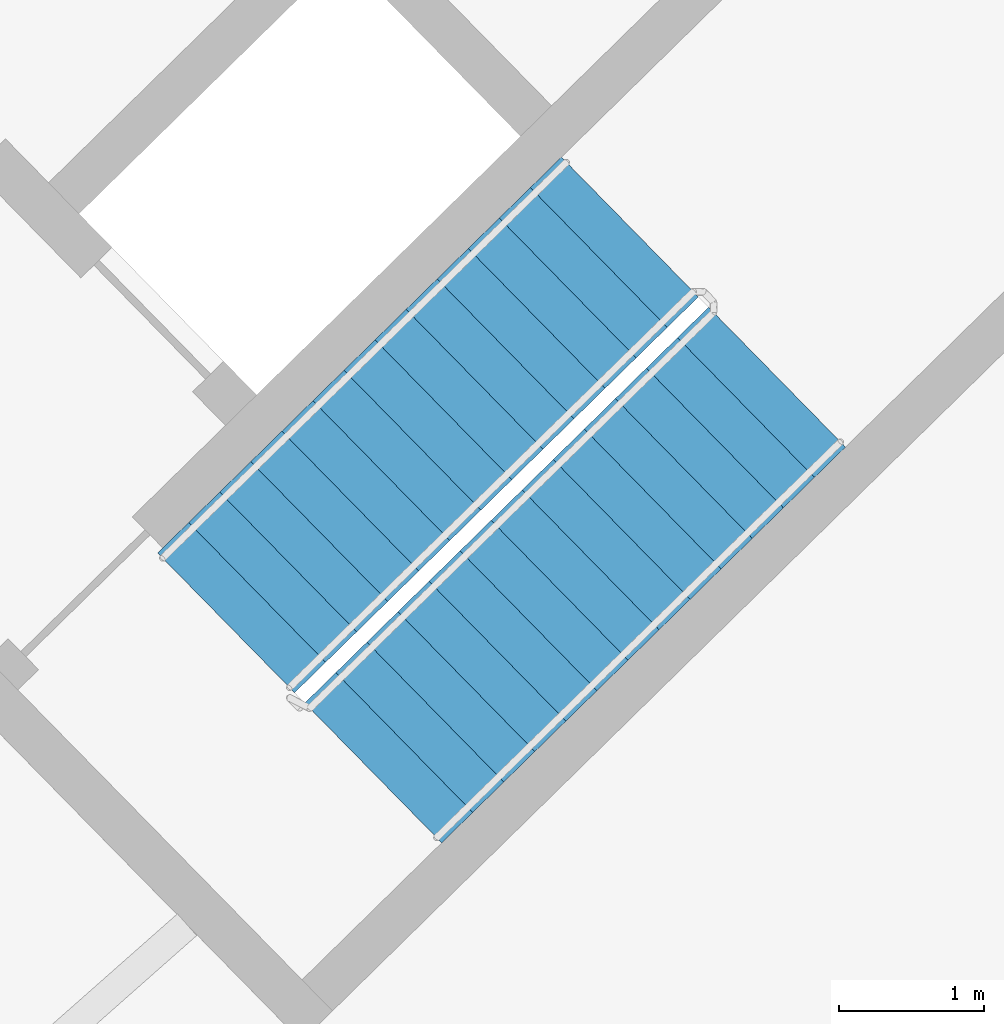
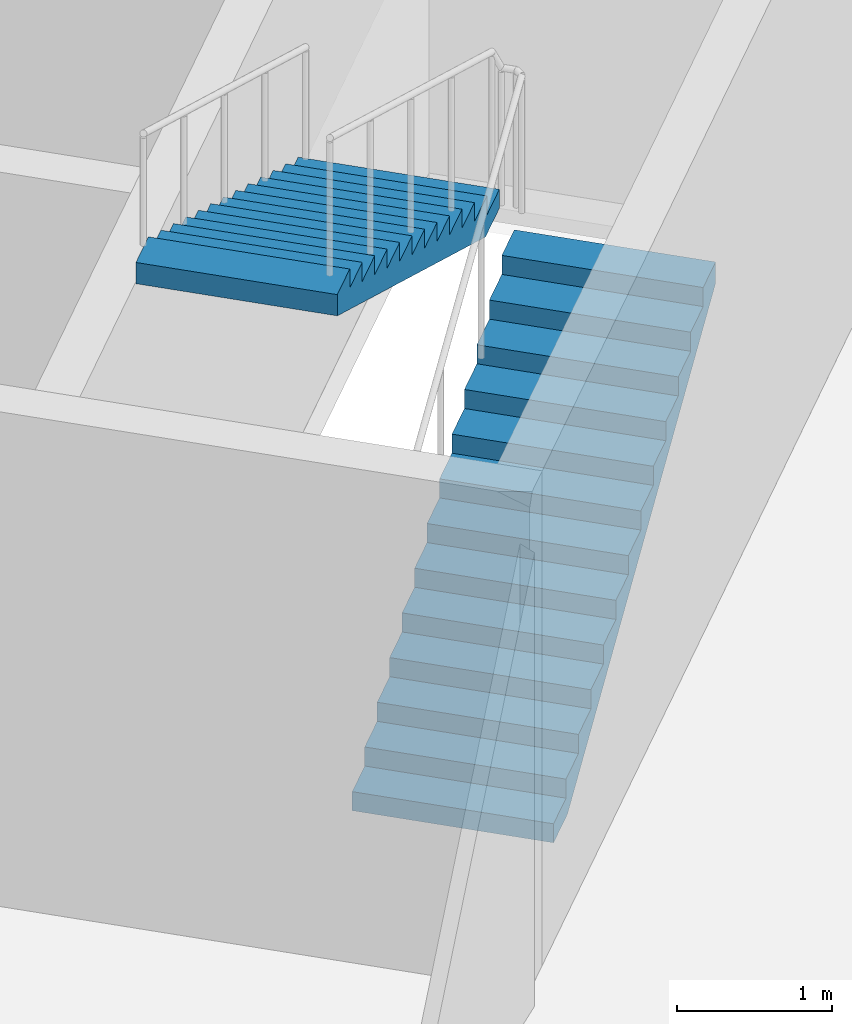
# One storey, part 9 of 11: 2 stair flights, 1 element without a shape of its own.
"""IFC4 building model written with IfcOpenShell, lengths in metres."""

from ifc_helpers import new_model, si_unit, direction, frame, origin, place, context, subcontext, project, spatial, polyline, outline, extrude, material, type_object, element, aggregate, save


model = new_model("IFC4")

# Units and contexts
model_context = context("Model", 3, precision=1e-05, world=origin(), true_north=direction((0.0, 1.0)))
body_context = subcontext(model_context, "Body", "Model", "MODEL_VIEW")
ifc_project = project(units=[si_unit("LENGTHUNIT", "METRE"), si_unit("AREAUNIT", "SQUARE_METRE"), si_unit("VOLUMEUNIT", "CUBIC_METRE"), si_unit("PLANEANGLEUNIT", "RADIAN"), si_unit("MASSUNIT", "GRAM", prefix="KILO")], contexts=[model_context])

# Site, building, storey
site_placement = place(None, origin())
site = spatial("IfcSite", under=ifc_project, at=site_placement, CompositionType="ELEMENT")
building_placement = place(site_placement, origin())
building = spatial("IfcBuilding", under=site, at=building_placement, Name="Tuul Gate Civic Tower", CompositionType="ELEMENT")
storey_placement = place(building_placement, frame((0.0, 0.0, 69.60009765625)))
storey = spatial("IfcBuildingStorey", under=building, at=storey_placement, Name="Level 15", CompositionType="ELEMENT", Elevation=69.60009765625)

# Stair, stair flights
ifc_material_1 = material(Name="Concrete C40/50", Category="concrete")
stair_type = type_object("IfcStairType", Name="Exit stair", PredefinedType="HALF_TURN_STAIR", material=ifc_material_1)
stair_placement = place(storey_placement, origin())
stair = element("IfcStair", 1, at=stair_placement, inside=storey, type_object=stair_type, Name="Level 15 ST-3", PredefinedType="HALF_TURN_STAIR")
ifc_material_2 = material(Name="Concrete C40/50", Category="concrete")
stair_flight_type = type_object("IfcStairFlightType", Name="Exit stair flight", PredefinedType="STRAIGHT", material=ifc_material_2)
stair_flight_1_placement = place(storey_placement, frame((48.61376953125, -16.581787109375, 0.0), z_axis=(0.0, 0.0, 1.0), x_axis=(0.714127290059, 0.700015866672, 0.0)))
stair_flight_1 = element("IfcStairFlight", 2, at=stair_flight_1_placement, type_object=stair_flight_type, Name="ST-3 flight 1", NumberOfRisers=14, NumberOfTreads=13, PredefinedType="STRAIGHT", RiserHeight=0.15, TreadLength=0.3, context=body_context, shape_type="SweptSolid", body=[
    extrude(outline(polyline([(0.0, 0.0), (0.0, 0.14990234375), (0.300048828125, 0.14990234375), (0.300048828125, 0.300048828125), (0.60009765625, 0.300048828125), (0.60009765625, 0.449951171875), (0.89990234375, 0.449951171875), (0.89990234375, 0.60009765625), (1.199951171875, 0.60009765625), (1.199951171875, 0.75), (1.5, 0.75), (1.5, 0.89990234375), (1.800048828125, 0.89990234375), (1.800048828125, 1.050048828125), (2.10009765625, 1.050048828125), (2.10009765625, 1.199951171875), (2.39990234375, 1.199951171875), (2.39990234375, 1.35009765625), (2.699951171875, 1.35009765625), (2.699951171875, 1.5), (3.0, 1.5), (3.0, 1.64990234375), (3.300048828125, 1.64990234375), (3.300048828125, 1.800048828125), (3.60009765625, 1.800048828125), (3.60009765625, 1.949951171875), (3.89990234375, 1.949951171875), (3.89990234375, 2.10009765625), (3.89990234375, 1.782470703125), (0.335205078125, 0.0), (0.0, 0.0)])), frame((0.0, 0.675048828125, 0.0), z_axis=(0.0, -1.0, 0.0), x_axis=(1.0, 0.0, 0.0)), (0.0, 0.0, 1.0), 1.35009765625),
])
stair_flight_2_placement = place(storey_placement, frame((50.3837890625, -12.816162109375, 2.099853515625), z_axis=(0.0, 0.0, 1.0), x_axis=(-0.714127290059, -0.700015866672, 0.0)))
stair_flight_2 = element("IfcStairFlight", 3, at=stair_flight_2_placement, type_object=stair_flight_type, Name="ST-3 flight 2", NumberOfRisers=14, NumberOfTreads=13, PredefinedType="STRAIGHT", RiserHeight=0.15, TreadLength=0.3, context=body_context, shape_type="SweptSolid", body=[
    extrude(outline(polyline([(0.0, 0.0), (0.0, 0.14990234375), (0.300048828125, 0.14990234375), (0.300048828125, 0.300048828125), (0.60009765625, 0.300048828125), (0.60009765625, 0.449951171875), (0.89990234375, 0.449951171875), (0.89990234375, 0.60009765625), (1.199951171875, 0.60009765625), (1.199951171875, 0.75), (1.5, 0.75), (1.5, 0.89990234375), (1.800048828125, 0.89990234375), (1.800048828125, 1.050048828125), (2.10009765625, 1.050048828125), (2.10009765625, 1.199951171875), (2.39990234375, 1.199951171875), (2.39990234375, 1.35009765625), (2.699951171875, 1.35009765625), (2.699951171875, 1.5), (3.0, 1.5), (3.0, 1.64990234375), (3.300048828125, 1.64990234375), (3.300048828125, 1.800048828125), (3.60009765625, 1.800048828125), (3.60009765625, 1.949951171875), (3.89990234375, 1.949951171875), (3.89990234375, 2.10009765625), (3.89990234375, 1.782470703125), (0.335205078125, 0.0), (0.0, 0.0)])), frame((0.0, 0.675048828125, 0.0), z_axis=(0.0, -1.0, 0.0), x_axis=(1.0, 0.0, 0.0)), (0.0, 0.0, 1.0), 1.35009765625),
])
aggregate(stair, [stair_flight_1, stair_flight_2])

save(model, "model.ifc")
